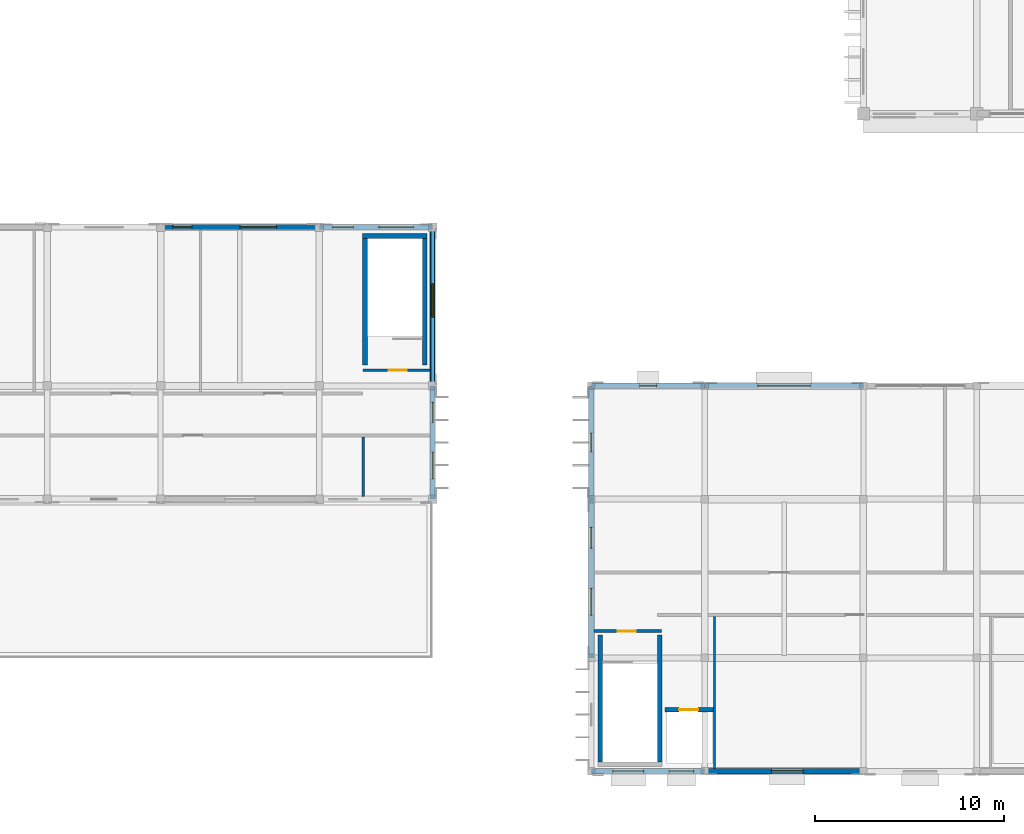
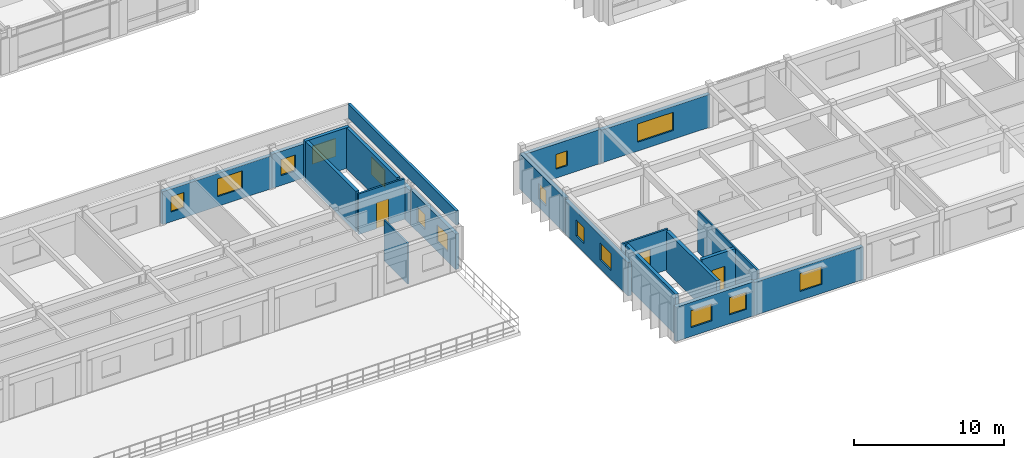
# One storey, part 52 of 88: 21 walls, 15 windows, 3 doors, 18 openings.
"""IFC4 building model written with IfcOpenShell, lengths in metres."""

from ifc_helpers import new_model, si_unit, direction, frame, frame_2d, origin, place, context, subcontext, project, spatial, rectangle, extrude, material, layer, layer_set, type_object, element, fill, save


model = new_model("IFC4")

# Units and contexts
model_context = context("Model", 3, precision=1e-05, world=origin(), true_north=direction((0.0, 1.0)))
body_context = subcontext(model_context, "Body", "Model", "MODEL_VIEW")
ifc_project = project(units=[si_unit("LENGTHUNIT", "METRE"), si_unit("AREAUNIT", "SQUARE_METRE"), si_unit("VOLUMEUNIT", "CUBIC_METRE"), si_unit("PLANEANGLEUNIT", "RADIAN"), si_unit("MASSUNIT", "GRAM", prefix="KILO"), si_unit("THERMODYNAMICTEMPERATUREUNIT", "KELVIN")], contexts=[model_context])

# Site, building, storey
site_placement = place(None, origin())
site = spatial("IfcSite", under=ifc_project, at=site_placement, CompositionType="ELEMENT")
building_placement = place(site_placement, origin())
building = spatial("IfcBuilding", under=site, at=building_placement, Name="Thalorik Housing Commons", CompositionType="ELEMENT")
storey_placement = place(building_placement, frame((0.0, 0.0, 4.5)))
storey = spatial("IfcBuildingStorey", under=building, at=storey_placement, Name="L01", CompositionType="ELEMENT", Elevation=4.5)

# Walls
ifc_material_1 = material(Name="Concrete C40/50", Category="concrete")
ifc_layer_1 = layer(ifc_material_1, 0.25, Name="Concrete C40/50", Category="concrete")
ifc_layer_set_1 = layer_set([ifc_layer_1], Name="Concrete C40/50")
wall_type_1 = type_object("IfcWallType", Name="ARC-WAL-CORE-250", PredefinedType="SHEAR", material=ifc_layer_set_1)
for number, where, z_axis, x_axis, name in (
    (1, (124.074951171875, 15.60009765625, 0.0), (0.0, 0.0, 1.0), (0.0, -1.0, 0.0), "L01 Stair ST-N1 Structural Support Wall L"),
    (2, (127.22509765625, 15.60009765625, 0.0), (0.0, 0.0, 1.0), (0.0, -1.0, 0.0), "L01 Stair ST-N1 Structural Support Wall R"),
    (3, (114.77490234375, 29.89990234375, 0.0), (0.0, 0.0, 1.0), (0.0, 1.0, 0.0), "L01 Stair ST-S2 Structural Support Wall L"),
    (4, (111.625, 29.89990234375, 0.0), (0.0, 0.0, 1.0), (0.0, 1.0, 0.0), "L01 Stair ST-S2 Structural Support Wall R"),
):
    element("IfcWall", number, at=place(storey_placement, frame(where, z_axis=z_axis, x_axis=x_axis)), inside=storey, type_object=wall_type_1, Name=name, PredefinedType="SHEAR", context=body_context, shape_type="SweptSolid", body=[
        extrude(rectangle(XDim=6.7001953125, YDim=0.25, at=frame_2d((3.35009765625, 0.0))), origin(), (0.0, 0.0, 1.0), 3.300048828125),
    ])
wall_1_placement = place(storey_placement, frame((114.89990234375, 36.72509765625, 0.0), z_axis=(0.0, 0.0, 1.0), x_axis=(-1.0, 0.0, 0.0)))
element("IfcWall", 5, at=wall_1_placement, inside=storey, type_object=wall_type_1, Name="L01 Stair ST-S2 Structural Support Wall F", PredefinedType="SHEAR", context=body_context, shape_type="SweptSolid", body=[
    extrude(rectangle(XDim=3.39990234375, YDim=0.25, at=frame_2d((1.699951171875, 0.0))), origin(), (0.0, 0.0, 1.0), 3.300048828125),
])

# Wall, opening, door
wall_2_placement = place(storey_placement, frame((127.5, 11.64990234375, 0.0), z_axis=(0.0, 0.0, 1.0), x_axis=(1.0, 0.0, 0.0)))
wall_2 = element("IfcWall", 6, at=wall_2_placement, inside=storey, type_object=wall_type_1, Name="L01 Lift LP-N1 Front Wall", PredefinedType="SHEAR", context=body_context, shape_type="SweptSolid", body=[
    extrude(rectangle(XDim=2.555419921875, YDim=0.25, at=frame_2d((1.27783203125, 0.0))), origin(), (0.0, 0.0, 1.0), 3.300048828125),
])
opening_1_placement = place(wall_2_placement, frame((0.75, 0.0, 0.0)))
opening_1 = element("IfcOpeningElement", 7, at=opening_1_placement, cuts=wall_2, Name="Opening LD-LP-N1-L01", PredefinedType="OPENING", context=body_context, shape_type="SweptSolid", body=[
    extrude(rectangle(XDim=1.0, YDim=2.14990234375, at=frame_2d((0.5, 1.074951171875))), frame((0.0, 0.135009765625, 0.0), z_axis=(0.0, -1.0, 0.0), x_axis=(1.0, 0.0, 0.0)), (0.0, 0.0, 1.0), 0.27001953125),
])
ifc_material_2 = material(Name="Steel S355", Category="steel")
door_type_1 = type_object("IfcDoorType", Name="ARC-DR-LIFT-1000", OperationType="NOTDEFINED", PredefinedType="DOOR", material=ifc_material_2)
door_1_placement = place(opening_1_placement, origin())
door_1 = element("IfcDoor", 8, at=door_1_placement, inside=storey, type_object=door_type_1, Name="L01 Lift LP-N1 Landing Door", OperationType="SLIDING_TO_LEFT", OverallHeight=2.14990234375, OverallWidth=1.0, PredefinedType="DOOR", context=body_context, shape_type="SweptSolid", body=[
    extrude(rectangle(XDim=1.0, YDim=2.14990234375, at=frame_2d((0.5, 1.074951171875))), frame((0.0, 0.02490234375, 0.0), z_axis=(0.0, -1.0, 0.0), x_axis=(1.0, 0.0, 0.0)), (0.0, 0.0, 1.0), 0.050048828125),
])
fill(opening_1, door_1)

# Wall, openings, windows
ifc_material_3 = material(Name="White precast concrete C40/50", Category="concrete")
ifc_layer_2 = layer(ifc_material_3, 0.27490234375, Name="White precast concrete C40/50", Category="concrete")
ifc_layer_set_2 = layer_set([ifc_layer_2], Name="White precast concrete C40/50")
wall_type_2 = type_object("IfcWallType", Name="ARC-WAL-EXT-275", PredefinedType="STANDARD", material=ifc_layer_set_2)
wall_3_placement = place(storey_placement, frame((115.199951171875, 22.800048828125, 0.0), z_axis=(0.0, 0.0, 1.0), x_axis=(0.0, 1.0, 0.0)))
wall_3 = element("IfcWall", 9, at=wall_3_placement, inside=storey, type_object=wall_type_2, Name="L01 Exterior Wall WAL-SHOP-L01-1386", PredefinedType="STANDARD", context=body_context, shape_type="SweptSolid", body=[
    extrude(rectangle(XDim=6.0, YDim=0.27490234375, at=frame_2d((3.0, 0.0))), origin(), (0.0, 0.0, 1.0), 2.875),
])
opening_2_placement = place(wall_3_placement, frame((1.074951171875, 0.0, 0.800048828125)))
opening_2 = element("IfcOpeningElement", 10, at=opening_2_placement, cuts=wall_3, Name="Opening W-50", PredefinedType="OPENING", context=body_context, shape_type="SweptSolid", body=[
    extrude(rectangle(XDim=1.419921875, YDim=1.3798828125, at=frame_2d((0.7099609375, 0.68994140625))), frame((0.0, 0.1474609375, 0.0), z_axis=(0.0, -1.0, 0.0), x_axis=(1.0, 0.0, 0.0)), (0.0, 0.0, 1.0), 0.294921875),
])
opening_3_placement = place(wall_3_placement, frame((4.070068359375, 0.0, 0.800048828125)))
opening_3 = element("IfcOpeningElement", 11, at=opening_3_placement, cuts=wall_3, Name="Opening W-44", PredefinedType="OPENING", context=body_context, shape_type="SweptSolid", body=[
    extrude(rectangle(XDim=1.050048828125, YDim=1.199951171875, at=frame_2d((0.52490234375, 0.60009765625))), frame((0.0, 0.1474609375, 0.0), z_axis=(0.0, -1.0, 0.0), x_axis=(1.0, 0.0, 0.0)), (0.0, 0.0, 1.0), 0.294921875),
])
ifc_material_4 = material(Name="Anodised aluminium and solar-control low-E glass", Category="aluminium")
window_type_1 = type_object("IfcWindowType", Name="ARC-WIN-44", PartitioningType="SINGLE_PANEL", PredefinedType="WINDOW", material=ifc_material_4)
window_1_placement = place(opening_3_placement, origin())
window_1 = element("IfcWindow", 12, at=window_1_placement, inside=storey, type_object=window_type_1, Name="L01 Facade Window 2422", OverallHeight=1.199951171875, OverallWidth=1.050048828125, PartitioningType="SINGLE_PANEL", PredefinedType="WINDOW", context=body_context, shape_type="SweptSolid", body=[
    extrude(rectangle(XDim=1.050048828125, YDim=1.199951171875, at=frame_2d((0.52490234375, 0.60009765625))), frame((0.0, 0.030029296875, 0.0), z_axis=(0.0, -1.0, 0.0), x_axis=(1.0, 0.0, 0.0)), (0.0, 0.0, 1.0), 0.06005859375),
])
fill(opening_3, window_1)
window_type_2 = type_object("IfcWindowType", Name="ARC-WIN-50", PartitioningType="SINGLE_PANEL", PredefinedType="WINDOW", material=ifc_material_4)
window_2_placement = place(opening_2_placement, origin())
window_2 = element("IfcWindow", 13, at=window_2_placement, inside=storey, type_object=window_type_2, Name="L01 Facade Window 2421", OverallHeight=1.3798828125, OverallWidth=1.419921875, PartitioningType="SINGLE_PANEL", PredefinedType="WINDOW", context=body_context, shape_type="SweptSolid", body=[
    extrude(rectangle(XDim=1.419921875, YDim=1.3798828125, at=frame_2d((0.7099609375, 0.68994140625))), frame((0.0, 0.030029296875, 0.0), z_axis=(0.0, -1.0, 0.0), x_axis=(1.0, 0.0, 0.0)), (0.0, 0.0, 1.0), 0.06005859375),
])
fill(opening_2, window_2)

# Wall, opening, window
wall_4_placement = place(storey_placement, frame((115.199951171875, 28.800048828125, 0.0), z_axis=(0.0, 0.0, 1.0), x_axis=(0.0, 1.0, 0.0)))
wall_4 = element("IfcWall", 14, at=wall_4_placement, inside=storey, type_object=wall_type_2, Name="L01 Exterior Wall WAL-SHOP-L01-1387", PredefinedType="STANDARD", context=body_context, shape_type="SweptSolid", body=[
    extrude(rectangle(XDim=8.39990234375, YDim=0.27490234375, at=frame_2d((4.199951171875, 0.0))), origin(), (0.0, 0.0, 1.0), 2.72509765625),
])
opening_4_placement = place(wall_4_placement, frame((3.625, 0.0, 0.800048828125)))
opening_4 = element("IfcOpeningElement", 15, at=opening_4_placement, cuts=wall_4, Name="Opening W-57", PredefinedType="OPENING", context=body_context, shape_type="SweptSolid", body=[
    extrude(rectangle(XDim=1.780029296875, YDim=1.419921875, at=frame_2d((0.89013671875, 0.7099609375))), frame((0.0, 0.1474609375, 0.0), z_axis=(0.0, -1.0, 0.0), x_axis=(1.0, 0.0, 0.0)), (0.0, 0.0, 1.0), 0.294921875),
])
window_type_3 = type_object("IfcWindowType", Name="ARC-WIN-57", PartitioningType="DOUBLE_PANEL_VERTICAL", PredefinedType="WINDOW", material=ifc_material_4)
window_3_placement = place(opening_4_placement, origin())
window_3 = element("IfcWindow", 16, at=window_3_placement, inside=storey, type_object=window_type_3, Name="L01 Facade Window 2423", OverallHeight=1.419921875, OverallWidth=1.780029296875, PartitioningType="DOUBLE_PANEL_VERTICAL", PredefinedType="WINDOW", context=body_context, shape_type="SweptSolid", body=[
    extrude(rectangle(XDim=1.780029296875, YDim=1.419921875, at=frame_2d((0.89013671875, 0.7099609375))), frame((0.0, 0.030029296875, 0.0), z_axis=(0.0, -1.0, 0.0), x_axis=(1.0, 0.0, 0.0)), (0.0, 0.0, 1.0), 0.06005859375),
])
fill(opening_4, window_3)

# Wall, openings, windows
wall_5_placement = place(storey_placement, frame((115.199951171875, 37.199951171875, 0.0), z_axis=(0.0, 0.0, 1.0), x_axis=(-1.0, 0.0, 0.0)))
wall_5 = element("IfcWall", 17, at=wall_5_placement, inside=storey, type_object=wall_type_2, Name="L01 Exterior Wall WAL-SHOP-L01-1388", PredefinedType="STANDARD", context=body_context, shape_type="SweptSolid", body=[
    extrude(rectangle(XDim=6.0, YDim=0.27490234375, at=frame_2d((3.0, 0.0))), origin(), (0.0, 0.0, 1.0), 2.77490234375),
])
opening_5_placement = place(wall_5_placement, frame((1.02490234375, 0.0, 0.800048828125)))
opening_5 = element("IfcOpeningElement", 18, at=opening_5_placement, cuts=wall_5, Name="Opening W-58", PredefinedType="OPENING", context=body_context, shape_type="SweptSolid", body=[
    extrude(rectangle(XDim=1.820068359375, YDim=1.4599609375, at=frame_2d((0.91015625, 0.72998046875))), frame((0.0, 0.1474609375, 0.0), z_axis=(0.0, -1.0, 0.0), x_axis=(1.0, 0.0, 0.0)), (0.0, 0.0, 1.0), 0.294921875),
])
opening_6_placement = place(wall_5_placement, frame((4.195068359375, 0.0, 0.800048828125)))
opening_6 = element("IfcOpeningElement", 19, at=opening_6_placement, cuts=wall_5, Name="Opening W-03", PredefinedType="OPENING", context=body_context, shape_type="SweptSolid", body=[
    extrude(rectangle(XDim=1.10009765625, YDim=1.300048828125, at=frame_2d((0.550048828125, 0.64990234375))), frame((0.0, 0.1474609375, 0.0), z_axis=(0.0, -1.0, 0.0), x_axis=(1.0, 0.0, 0.0)), (0.0, 0.0, 1.0), 0.294921875),
])
window_type_4 = type_object("IfcWindowType", Name="ARC-WIN-03", PartitioningType="SINGLE_PANEL", PredefinedType="WINDOW", material=ifc_material_4)
window_4_placement = place(opening_6_placement, origin())
window_4 = element("IfcWindow", 20, at=window_4_placement, inside=storey, type_object=window_type_4, Name="L01 Facade Window 2425", OverallHeight=1.300048828125, OverallWidth=1.10009765625, PartitioningType="SINGLE_PANEL", PredefinedType="WINDOW", context=body_context, shape_type="SweptSolid", body=[
    extrude(rectangle(XDim=1.10009765625, YDim=1.300048828125, at=frame_2d((0.550048828125, 0.64990234375))), frame((0.0, 0.030029296875, 0.0), z_axis=(0.0, -1.0, 0.0), x_axis=(1.0, 0.0, 0.0)), (0.0, 0.0, 1.0), 0.06005859375),
])
fill(opening_6, window_4)
window_type_5 = type_object("IfcWindowType", Name="ARC-WIN-58", PartitioningType="DOUBLE_PANEL_VERTICAL", PredefinedType="WINDOW", material=ifc_material_4)
window_5_placement = place(opening_5_placement, origin())
window_5 = element("IfcWindow", 21, at=window_5_placement, inside=storey, type_object=window_type_5, Name="L01 Facade Window 2424", OverallHeight=1.4599609375, OverallWidth=1.820068359375, PartitioningType="DOUBLE_PANEL_VERTICAL", PredefinedType="WINDOW", context=body_context, shape_type="SweptSolid", body=[
    extrude(rectangle(XDim=1.820068359375, YDim=1.4599609375, at=frame_2d((0.91015625, 0.72998046875))), frame((0.0, 0.030029296875, 0.0), z_axis=(0.0, -1.0, 0.0), x_axis=(1.0, 0.0, 0.0)), (0.0, 0.0, 1.0), 0.06005859375),
])
fill(opening_5, window_5)

wall_6_placement = place(storey_placement, frame((109.199951171875, 37.199951171875, 0.0), z_axis=(0.0, 0.0, 1.0), x_axis=(-1.0, 0.0, 0.0)))
wall_6 = element("IfcWall", 22, at=wall_6_placement, inside=storey, type_object=wall_type_2, Name="L01 Exterior Wall WAL-SHOP-L01-1389", PredefinedType="STANDARD", context=body_context, shape_type="SweptSolid", body=[
    extrude(rectangle(XDim=8.39990234375, YDim=0.27490234375, at=frame_2d((4.199951171875, 0.0))), origin(), (0.0, 0.0, 1.0), 2.675048828125),
])
opening_7_placement = place(wall_6_placement, frame((2.27490234375, 0.0, 0.800048828125)))
opening_7 = element("IfcOpeningElement", 23, at=opening_7_placement, cuts=wall_6, Name="Opening W-60", PredefinedType="OPENING", context=body_context, shape_type="SweptSolid", body=[
    extrude(rectangle(XDim=1.919921875, YDim=1.43994140625, at=frame_2d((0.9599609375, 0.719970703125))), frame((0.0, 0.1474609375, 0.0), z_axis=(0.0, -1.0, 0.0), x_axis=(1.0, 0.0, 0.0)), (0.0, 0.0, 1.0), 0.294921875),
])
opening_8_placement = place(wall_6_placement, frame((6.7451171875, 0.0, 0.800048828125)))
opening_8 = element("IfcOpeningElement", 24, at=opening_8_placement, cuts=wall_6, Name="Opening W-02", PredefinedType="OPENING", context=body_context, shape_type="SweptSolid", body=[
    extrude(rectangle(XDim=1.0, YDim=1.25, at=frame_2d((0.5, 0.625))), frame((0.0, 0.1474609375, 0.0), z_axis=(0.0, -1.0, 0.0), x_axis=(1.0, 0.0, 0.0)), (0.0, 0.0, 1.0), 0.294921875),
])
window_type_6 = type_object("IfcWindowType", Name="ARC-WIN-02", PartitioningType="SINGLE_PANEL", PredefinedType="WINDOW", material=ifc_material_4)
window_6_placement = place(opening_8_placement, origin())
window_6 = element("IfcWindow", 25, at=window_6_placement, inside=storey, type_object=window_type_6, Name="L01 Facade Window 2427", OverallHeight=1.25, OverallWidth=1.0, PartitioningType="SINGLE_PANEL", PredefinedType="WINDOW", context=body_context, shape_type="SweptSolid", body=[
    extrude(rectangle(XDim=1.0, YDim=1.25, at=frame_2d((0.5, 0.625))), frame((0.0, 0.030029296875, 0.0), z_axis=(0.0, -1.0, 0.0), x_axis=(1.0, 0.0, 0.0)), (0.0, 0.0, 1.0), 0.06005859375),
])
fill(opening_8, window_6)
window_type_7 = type_object("IfcWindowType", Name="ARC-WIN-60", PartitioningType="DOUBLE_PANEL_VERTICAL", PredefinedType="WINDOW", material=ifc_material_4)
window_7_placement = place(opening_7_placement, origin())
window_7 = element("IfcWindow", 26, at=window_7_placement, inside=storey, type_object=window_type_7, Name="L01 Facade Window 2426", OverallHeight=1.43994140625, OverallWidth=1.919921875, PartitioningType="DOUBLE_PANEL_VERTICAL", PredefinedType="WINDOW", context=body_context, shape_type="SweptSolid", body=[
    extrude(rectangle(XDim=1.919921875, YDim=1.43994140625, at=frame_2d((0.9599609375, 0.719970703125))), frame((0.0, 0.030029296875, 0.0), z_axis=(0.0, -1.0, 0.0), x_axis=(1.0, 0.0, 0.0)), (0.0, 0.0, 1.0), 0.06005859375),
])
fill(opening_7, window_7)

ifc_layer_3 = layer(ifc_material_3, 0.2900390625, Name="White precast concrete C40/50", Category="concrete")
ifc_layer_set_3 = layer_set([ifc_layer_3], Name="White precast concrete C40/50")
wall_type_3 = type_object("IfcWallType", Name="ARC-WAL-EXT-290", PredefinedType="STANDARD", material=ifc_layer_set_3)
wall_7_placement = place(storey_placement, frame((123.60009765625, 8.39990234375, 0.0), z_axis=(0.0, 0.0, 1.0), x_axis=(1.0, 0.0, 0.0)))
wall_7 = element("IfcWall", 27, at=wall_7_placement, inside=storey, type_object=wall_type_3, Name="L01 Exterior Wall WAL-NURS-L01-1341", PredefinedType="STANDARD", context=body_context, shape_type="SweptSolid", body=[
    extrude(rectangle(XDim=6.0, YDim=0.2900390625, at=frame_2d((3.0, 0.0))), origin(), (0.0, 0.0, 1.0), 2.77490234375),
])
opening_9_placement = place(wall_7_placement, frame((1.14501953125, 0.0, 0.719970703125)))
opening_9 = element("IfcOpeningElement", 28, at=opening_9_placement, cuts=wall_7, Name="Opening W-54", PredefinedType="OPENING", context=body_context, shape_type="SweptSolid", body=[
    extrude(rectangle(XDim=1.6201171875, YDim=1.3798828125, at=frame_2d((0.81005859375, 0.68994140625))), frame((0.0, 0.155029296875, 0.0), z_axis=(0.0, -1.0, 0.0), x_axis=(1.0, 0.0, 0.0)), (0.0, 0.0, 1.0), 0.31005859375),
])
opening_10_placement = place(wall_7_placement, frame((4.114990234375, 0.0, 0.719970703125)))
opening_10 = element("IfcOpeningElement", 29, at=opening_10_placement, cuts=wall_7, Name="Opening W-06", PredefinedType="OPENING", context=body_context, shape_type="SweptSolid", body=[
    extrude(rectangle(XDim=1.300048828125, YDim=1.39990234375, at=frame_2d((0.64990234375, 0.699951171875))), frame((0.0, 0.155029296875, 0.0), z_axis=(0.0, -1.0, 0.0), x_axis=(1.0, 0.0, 0.0)), (0.0, 0.0, 1.0), 0.31005859375),
])
window_type_8 = type_object("IfcWindowType", Name="ARC-WIN-06", PartitioningType="SINGLE_PANEL", PredefinedType="WINDOW", material=ifc_material_4)
window_8_placement = place(opening_10_placement, origin())
window_8 = element("IfcWindow", 30, at=window_8_placement, inside=storey, type_object=window_type_8, Name="L01 Facade Window 2380", OverallHeight=1.39990234375, OverallWidth=1.300048828125, PartitioningType="SINGLE_PANEL", PredefinedType="WINDOW", context=body_context, shape_type="SweptSolid", body=[
    extrude(rectangle(XDim=1.300048828125, YDim=1.39990234375, at=frame_2d((0.64990234375, 0.699951171875))), frame((0.0, 0.030029296875, 0.0), z_axis=(0.0, -1.0, 0.0), x_axis=(1.0, 0.0, 0.0)), (0.0, 0.0, 1.0), 0.06005859375),
])
fill(opening_10, window_8)
window_type_9 = type_object("IfcWindowType", Name="ARC-WIN-54", PartitioningType="DOUBLE_PANEL_VERTICAL", PredefinedType="WINDOW", material=ifc_material_4)
window_9_placement = place(opening_9_placement, origin())
window_9 = element("IfcWindow", 31, at=window_9_placement, inside=storey, type_object=window_type_9, Name="L01 Facade Window 2379", OverallHeight=1.3798828125, OverallWidth=1.6201171875, PartitioningType="DOUBLE_PANEL_VERTICAL", PredefinedType="WINDOW", context=body_context, shape_type="SweptSolid", body=[
    extrude(rectangle(XDim=1.6201171875, YDim=1.3798828125, at=frame_2d((0.81005859375, 0.68994140625))), frame((0.0, 0.030029296875, 0.0), z_axis=(0.0, -1.0, 0.0), x_axis=(1.0, 0.0, 0.0)), (0.0, 0.0, 1.0), 0.06005859375),
])
fill(opening_9, window_9)

# Wall, opening, window
wall_8_placement = place(storey_placement, frame((129.60009765625, 8.39990234375, 0.0), z_axis=(0.0, 0.0, 1.0), x_axis=(1.0, 0.0, 0.0)))
wall_8 = element("IfcWall", 32, at=wall_8_placement, inside=storey, type_object=wall_type_3, Name="L01 Exterior Wall WAL-NURS-L01-1342", PredefinedType="STANDARD", context=body_context, shape_type="SweptSolid", body=[
    extrude(rectangle(XDim=8.39990234375, YDim=0.2900390625, at=frame_2d((4.199951171875, 0.0))), origin(), (0.0, 0.0, 1.0), 2.675048828125),
])
opening_11_placement = place(wall_8_placement, frame((3.52490234375, 0.0, 0.719970703125)))
opening_11 = element("IfcOpeningElement", 33, at=opening_11_placement, cuts=wall_8, Name="Opening W-55", PredefinedType="OPENING", context=body_context, shape_type="SweptSolid", body=[
    extrude(rectangle(XDim=1.679931640625, YDim=1.4599609375, at=frame_2d((0.83984375, 0.72998046875))), frame((0.0, 0.155029296875, 0.0), z_axis=(0.0, -1.0, 0.0), x_axis=(1.0, 0.0, 0.0)), (0.0, 0.0, 1.0), 0.31005859375),
])
window_type_10 = type_object("IfcWindowType", Name="ARC-WIN-55", PartitioningType="DOUBLE_PANEL_VERTICAL", PredefinedType="WINDOW", material=ifc_material_4)
window_10_placement = place(opening_11_placement, origin())
window_10 = element("IfcWindow", 34, at=window_10_placement, inside=storey, type_object=window_type_10, Name="L01 Facade Window 2381", OverallHeight=1.4599609375, OverallWidth=1.679931640625, PartitioningType="DOUBLE_PANEL_VERTICAL", PredefinedType="WINDOW", context=body_context, shape_type="SweptSolid", body=[
    extrude(rectangle(XDim=1.679931640625, YDim=1.4599609375, at=frame_2d((0.83984375, 0.72998046875))), frame((0.0, 0.030029296875, 0.0), z_axis=(0.0, -1.0, 0.0), x_axis=(1.0, 0.0, 0.0)), (0.0, 0.0, 1.0), 0.06005859375),
])
fill(opening_11, window_10)

wall_9_placement = place(storey_placement, frame((138.0, 28.800048828125, 0.0), z_axis=(0.0, 0.0, 1.0), x_axis=(-1.0, 0.0, 0.0)))
wall_9 = element("IfcWall", 35, at=wall_9_placement, inside=storey, type_object=wall_type_3, Name="L01 Exterior Wall WAL-NURS-L01-1354", PredefinedType="STANDARD", context=body_context, shape_type="SweptSolid", body=[
    extrude(rectangle(XDim=8.39990234375, YDim=0.2900390625, at=frame_2d((4.199951171875, 0.0))), origin(), (0.0, 0.0, 1.0), 2.675048828125),
])
opening_12_placement = place(wall_9_placement, frame((2.81005859375, 0.0, 0.719970703125)))
opening_12 = element("IfcOpeningElement", 36, at=opening_12_placement, cuts=wall_9, Name="Opening W-77", PredefinedType="OPENING", context=body_context, shape_type="SweptSolid", body=[
    extrude(rectangle(XDim=2.780029296875, YDim=1.47998046875, at=frame_2d((1.39013671875, 0.739990234375))), frame((0.0, 0.155029296875, 0.0), z_axis=(0.0, -1.0, 0.0), x_axis=(1.0, 0.0, 0.0)), (0.0, 0.0, 1.0), 0.31005859375),
])
window_type_11 = type_object("IfcWindowType", Name="ARC-WIN-77", PartitioningType="DOUBLE_PANEL_VERTICAL", PredefinedType="WINDOW", material=ifc_material_4)
window_11_placement = place(opening_12_placement, origin())
window_11 = element("IfcWindow", 37, at=window_11_placement, inside=storey, type_object=window_type_11, Name="L01 Facade Window 2394", OverallHeight=1.47998046875, OverallWidth=2.780029296875, PartitioningType="DOUBLE_PANEL_VERTICAL", PredefinedType="WINDOW", context=body_context, shape_type="SweptSolid", body=[
    extrude(rectangle(XDim=2.780029296875, YDim=1.47998046875, at=frame_2d((1.39013671875, 0.739990234375))), frame((0.0, 0.030029296875, 0.0), z_axis=(0.0, -1.0, 0.0), x_axis=(1.0, 0.0, 0.0)), (0.0, 0.0, 1.0), 0.06005859375),
])
fill(opening_12, window_11)

wall_10_placement = place(storey_placement, frame((129.60009765625, 28.800048828125, 0.0), z_axis=(0.0, 0.0, 1.0), x_axis=(-1.0, 0.0, 0.0)))
wall_10 = element("IfcWall", 38, at=wall_10_placement, inside=storey, type_object=wall_type_3, Name="L01 Exterior Wall WAL-NURS-L01-1355", PredefinedType="STANDARD", context=body_context, shape_type="SweptSolid", body=[
    extrude(rectangle(XDim=6.0, YDim=0.2900390625, at=frame_2d((3.0, 0.0))), origin(), (0.0, 0.0, 1.0), 2.77490234375),
])
opening_13_placement = place(wall_10_placement, frame((2.550048828125, 0.0, 0.719970703125)))
opening_13 = element("IfcOpeningElement", 39, at=opening_13_placement, cuts=wall_10, Name="Opening W-01", PredefinedType="OPENING", context=body_context, shape_type="SweptSolid", body=[
    extrude(rectangle(XDim=0.89990234375, YDim=1.199951171875, at=frame_2d((0.449951171875, 0.60009765625))), frame((0.0, 0.155029296875, 0.0), z_axis=(0.0, -1.0, 0.0), x_axis=(1.0, 0.0, 0.0)), (0.0, 0.0, 1.0), 0.31005859375),
])
window_type_12 = type_object("IfcWindowType", Name="ARC-WIN-01", PartitioningType="SINGLE_PANEL", PredefinedType="WINDOW", material=ifc_material_4)
window_12_placement = place(opening_13_placement, origin())
window_12 = element("IfcWindow", 40, at=window_12_placement, inside=storey, type_object=window_type_12, Name="L01 Facade Window 2395", OverallHeight=1.199951171875, OverallWidth=0.89990234375, PartitioningType="SINGLE_PANEL", PredefinedType="WINDOW", context=body_context, shape_type="SweptSolid", body=[
    extrude(rectangle(XDim=0.89990234375, YDim=1.199951171875, at=frame_2d((0.449951171875, 0.60009765625))), frame((0.0, 0.030029296875, 0.0), z_axis=(0.0, -1.0, 0.0), x_axis=(1.0, 0.0, 0.0)), (0.0, 0.0, 1.0), 0.06005859375),
])
fill(opening_13, window_12)

wall_11_placement = place(storey_placement, frame((123.60009765625, 28.800048828125, 0.0), z_axis=(0.0, 0.0, 1.0), x_axis=(0.0, -1.0, 0.0)))
wall_11 = element("IfcWall", 41, at=wall_11_placement, inside=storey, type_object=wall_type_3, Name="L01 Exterior Wall WAL-NURS-L01-1356", PredefinedType="STANDARD", context=body_context, shape_type="SweptSolid", body=[
    extrude(rectangle(XDim=6.0, YDim=0.2900390625, at=frame_2d((3.0, 0.0))), origin(), (0.0, 0.0, 1.0), 2.875),
])
opening_14_placement = place(wall_11_placement, frame((2.5, 0.0, 0.719970703125)))
opening_14 = element("IfcOpeningElement", 42, at=opening_14_placement, cuts=wall_11, Name="Opening W-02", PredefinedType="OPENING", context=body_context, shape_type="SweptSolid", body=[
    extrude(rectangle(XDim=1.0, YDim=1.25, at=frame_2d((0.5, 0.625))), frame((0.0, 0.155029296875, 0.0), z_axis=(0.0, -1.0, 0.0), x_axis=(1.0, 0.0, 0.0)), (0.0, 0.0, 1.0), 0.31005859375),
])
window_13_placement = place(opening_14_placement, origin())
window_13 = element("IfcWindow", 43, at=window_13_placement, inside=storey, type_object=window_type_6, Name="L01 Facade Window 2396", OverallHeight=1.25, OverallWidth=1.0, PartitioningType="SINGLE_PANEL", PredefinedType="WINDOW", context=body_context, shape_type="SweptSolid", body=[
    extrude(rectangle(XDim=1.0, YDim=1.25, at=frame_2d((0.5, 0.625))), frame((0.0, 0.030029296875, 0.0), z_axis=(0.0, -1.0, 0.0), x_axis=(1.0, 0.0, 0.0)), (0.0, 0.0, 1.0), 0.06005859375),
])
fill(opening_14, window_13)

# Wall, openings, windows
wall_12_placement = place(storey_placement, frame((123.60009765625, 22.800048828125, 0.0), z_axis=(0.0, 0.0, 1.0), x_axis=(0.0, -1.0, 0.0)))
wall_12 = element("IfcWall", 44, at=wall_12_placement, inside=storey, type_object=wall_type_3, Name="L01 Exterior Wall WAL-NURS-L01-1357", PredefinedType="STANDARD", context=body_context, shape_type="SweptSolid", body=[
    extrude(rectangle(XDim=8.400146484375, YDim=0.2900390625, at=frame_2d((4.2001953125, 0.0))), origin(), (0.0, 0.0, 1.0), 2.72509765625),
])
opening_15_placement = place(wall_12_placement, frame((1.485107421875, 0.0, 0.719970703125)))
opening_15 = element("IfcOpeningElement", 45, at=opening_15_placement, cuts=wall_12, Name="Opening W-03", PredefinedType="OPENING", context=body_context, shape_type="SweptSolid", body=[
    extrude(rectangle(XDim=1.10009765625, YDim=1.300048828125, at=frame_2d((0.550048828125, 0.64990234375))), frame((0.0, 0.155029296875, 0.0), z_axis=(0.0, -1.0, 0.0), x_axis=(1.0, 0.0, 0.0)), (0.0, 0.0, 1.0), 0.31005859375),
])
opening_16_placement = place(wall_12_placement, frame((4.719970703125, 0.0, 0.719970703125)))
opening_16 = element("IfcOpeningElement", 46, at=opening_16_placement, cuts=wall_12, Name="Opening W-50", PredefinedType="OPENING", context=body_context, shape_type="SweptSolid", body=[
    extrude(rectangle(XDim=1.419921875, YDim=1.3798828125, at=frame_2d((0.7099609375, 0.68994140625))), frame((0.0, 0.155029296875, 0.0), z_axis=(0.0, -1.0, 0.0), x_axis=(1.0, 0.0, 0.0)), (0.0, 0.0, 1.0), 0.31005859375),
])
window_14_placement = place(opening_15_placement, origin())
window_14 = element("IfcWindow", 47, at=window_14_placement, inside=storey, type_object=window_type_4, Name="L01 Facade Window 2397", OverallHeight=1.300048828125, OverallWidth=1.10009765625, PartitioningType="SINGLE_PANEL", PredefinedType="WINDOW", context=body_context, shape_type="SweptSolid", body=[
    extrude(rectangle(XDim=1.10009765625, YDim=1.300048828125, at=frame_2d((0.550048828125, 0.64990234375))), frame((0.0, 0.030029296875, 0.0), z_axis=(0.0, -1.0, 0.0), x_axis=(1.0, 0.0, 0.0)), (0.0, 0.0, 1.0), 0.06005859375),
])
fill(opening_15, window_14)
window_15_placement = place(opening_16_placement, origin())
window_15 = element("IfcWindow", 48, at=window_15_placement, inside=storey, type_object=window_type_2, Name="L01 Facade Window 2398", OverallHeight=1.3798828125, OverallWidth=1.419921875, PartitioningType="SINGLE_PANEL", PredefinedType="WINDOW", context=body_context, shape_type="SweptSolid", body=[
    extrude(rectangle(XDim=1.419921875, YDim=1.3798828125, at=frame_2d((0.7099609375, 0.68994140625))), frame((0.0, 0.030029296875, 0.0), z_axis=(0.0, -1.0, 0.0), x_axis=(1.0, 0.0, 0.0)), (0.0, 0.0, 1.0), 0.06005859375),
])
fill(opening_16, window_15)

# Walls
ifc_layer_4 = layer(ifc_material_3, 0.195068359375, Name="White precast concrete C40/50", Category="concrete")
ifc_layer_set_4 = layer_set([ifc_layer_4], Name="White precast concrete C40/50")
wall_type_4 = type_object("IfcWallType", Name="ARC-WAL-PAR-195", PredefinedType="PARAPET", material=ifc_layer_set_4)
wall_13_placement = place(storey_placement, frame((115.199951171875, 22.800048828125, 3.60009765625), z_axis=(0.0, 0.0, 1.0), x_axis=(0.0, 1.0, 0.0)))
element("IfcWall", 49, at=wall_13_placement, inside=storey, type_object=wall_type_4, Name="L01 Street Shops Roof Parapet 2", PredefinedType="PARAPET", context=body_context, shape_type="SweptSolid", body=[
    extrude(rectangle(XDim=14.39990234375, YDim=0.195068359375, at=frame_2d((7.199951171875, 0.0))), origin(), (0.0, 0.0, 1.0), 1.14990234375),
])
ifc_material_5 = material(Name="Gypsum acoustic stud partition", Category="masonry")
ifc_layer_5 = layer(ifc_material_5, 0.125, Name="Gypsum acoustic stud partition", Category="masonry")
ifc_layer_set_5 = layer_set([ifc_layer_5], Name="Gypsum acoustic stud partition")
wall_type_5 = type_object("IfcWallType", Name="ARC-WAL-PART-125", PredefinedType="PARTITIONING", material=ifc_layer_set_5)
wall_14_placement = place(storey_placement, frame((130.1201171875, 8.547119140625, 0.0), z_axis=(0.0, 0.0, 1.0), x_axis=(0.0, 1.0, 0.0)))
element("IfcWall", 50, at=wall_14_placement, inside=storey, type_object=wall_type_5, Name="L01 Nursery South Room Divider", PredefinedType="PARTITIONING", context=body_context, shape_type="SweptSolid", body=[
    extrude(rectangle(XDim=8.055908203125, YDim=0.125, at=frame_2d((4.02783203125, 0.0))), origin(), (0.0, 0.0, 1.0), 3.300048828125),
])
wall_15_placement = place(storey_placement, frame((111.52001953125, 22.939453125, 0.0), z_axis=(0.0, 0.0, 1.0), x_axis=(0.0, 1.0, 0.0)))
element("IfcWall", 51, at=wall_15_placement, inside=storey, type_object=wall_type_5, Name="L01 Mezzanine Room Divider", PredefinedType="PARTITIONING", context=body_context, shape_type="SweptSolid", body=[
    extrude(rectangle(XDim=3.156005859375, YDim=0.125, at=frame_2d((1.578125, 0.0))), origin(), (0.0, 0.0, 1.0), 3.300048828125),
])

# Wall, opening, door
ifc_material_6 = material(Name="Ceramic masonry partition wall", Category="masonry")
ifc_layer_6 = layer(ifc_material_6, 0.14794921875, Name="Ceramic masonry partition wall", Category="masonry")
ifc_layer_set_6 = layer_set([ifc_layer_6], Name="Ceramic masonry partition wall")
wall_type_6 = type_object("IfcWallType", Name="ARC-WAL-PART-150", PredefinedType="PARTITIONING", material=ifc_layer_set_6)
wall_16_placement = place(storey_placement, frame((123.7470703125, 15.820068359375, 0.0), z_axis=(0.0, 0.0, 1.0), x_axis=(1.0, 0.0, 0.0)))
wall_16 = element("IfcWall", 52, at=wall_16_placement, inside=storey, type_object=wall_type_6, Name="L01 Nursery West Stair North Wall", PredefinedType="PARTITIONING", context=body_context, shape_type="SweptSolid", body=[
    extrude(rectangle(XDim=3.572998046875, YDim=0.14794921875, at=frame_2d((1.78662109375, 0.0))), origin(), (0.0, 0.0, 1.0), 3.300048828125),
])
opening_17_placement = place(wall_16_placement, frame((1.262939453125, 0.0, 0.0)))
opening_17 = element("IfcOpeningElement", 53, at=opening_17_placement, cuts=wall_16, Name="Opening ID-2208", PredefinedType="OPENING", context=body_context, shape_type="SweptSolid", body=[
    extrude(rectangle(XDim=0.949951171875, YDim=2.10009765625, at=frame_2d((0.47509765625, 1.050048828125))), frame((0.0, 0.083984375, 0.0), z_axis=(0.0, -1.0, 0.0), x_axis=(1.0, 0.0, 0.0)), (0.0, 0.0, 1.0), 0.16796875),
])
door_type_2 = type_object("IfcDoorType", Name="ARC-DR-FD60-950", OperationType="NOTDEFINED", PredefinedType="DOOR", material=ifc_material_2)
door_2_placement = place(opening_17_placement, origin())
door_2 = element("IfcDoor", 54, at=door_2_placement, inside=storey, type_object=door_type_2, Name="L01 Stair ST-N1 Fire Door", OperationType="SINGLE_SWING_LEFT", OverallHeight=2.10009765625, OverallWidth=0.949951171875, PredefinedType="DOOR", context=body_context, shape_type="SweptSolid", body=[
    extrude(rectangle(XDim=0.949951171875, YDim=2.10009765625, at=frame_2d((0.47509765625, 1.050048828125))), frame((0.0, 0.02490234375, 0.0), z_axis=(0.0, -1.0, 0.0), x_axis=(1.0, 0.0, 0.0)), (0.0, 0.0, 1.0), 0.050048828125),
])
fill(opening_17, door_2)

wall_17_placement = place(storey_placement, frame((111.52001953125, 29.6201171875, 0.0), z_axis=(0.0, 0.0, 1.0), x_axis=(1.0, 0.0, 0.0)))
wall_17 = element("IfcWall", 55, at=wall_17_placement, inside=storey, type_object=wall_type_6, Name="L01 Shops East Stair South Wall", PredefinedType="PARTITIONING", context=body_context, shape_type="SweptSolid", body=[
    extrude(rectangle(XDim=3.54052734375, YDim=0.14794921875, at=frame_2d((1.770263671875, 0.0))), origin(), (0.0, 0.0, 1.0), 3.300048828125),
])
opening_18_placement = place(wall_17_placement, frame((1.35009765625, 0.0, 0.0)))
opening_18 = element("IfcOpeningElement", 56, at=opening_18_placement, cuts=wall_17, Name="Opening ID-2222", PredefinedType="OPENING", context=body_context, shape_type="SweptSolid", body=[
    extrude(rectangle(XDim=0.949951171875, YDim=2.10009765625, at=frame_2d((0.47509765625, 1.050048828125))), frame((0.0, 0.083984375, 0.0), z_axis=(0.0, -1.0, 0.0), x_axis=(1.0, 0.0, 0.0)), (0.0, 0.0, 1.0), 0.16796875),
])
door_3_placement = place(opening_18_placement, origin())
door_3 = element("IfcDoor", 57, at=door_3_placement, inside=storey, type_object=door_type_2, Name="L01 Stair ST-S2 Fire Door", OperationType="SINGLE_SWING_LEFT", OverallHeight=2.10009765625, OverallWidth=0.949951171875, PredefinedType="DOOR", context=body_context, shape_type="SweptSolid", body=[
    extrude(rectangle(XDim=0.949951171875, YDim=2.10009765625, at=frame_2d((0.47509765625, 1.050048828125))), frame((0.0, 0.02490234375, 0.0), z_axis=(0.0, -1.0, 0.0), x_axis=(1.0, 0.0, 0.0)), (0.0, 0.0, 1.0), 0.050048828125),
])
fill(opening_18, door_3)

save(model, "model.ifc")
